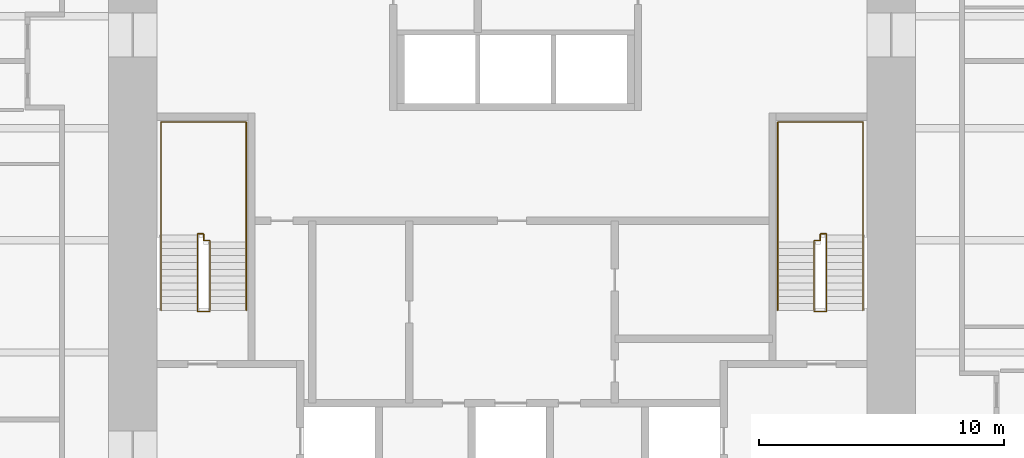
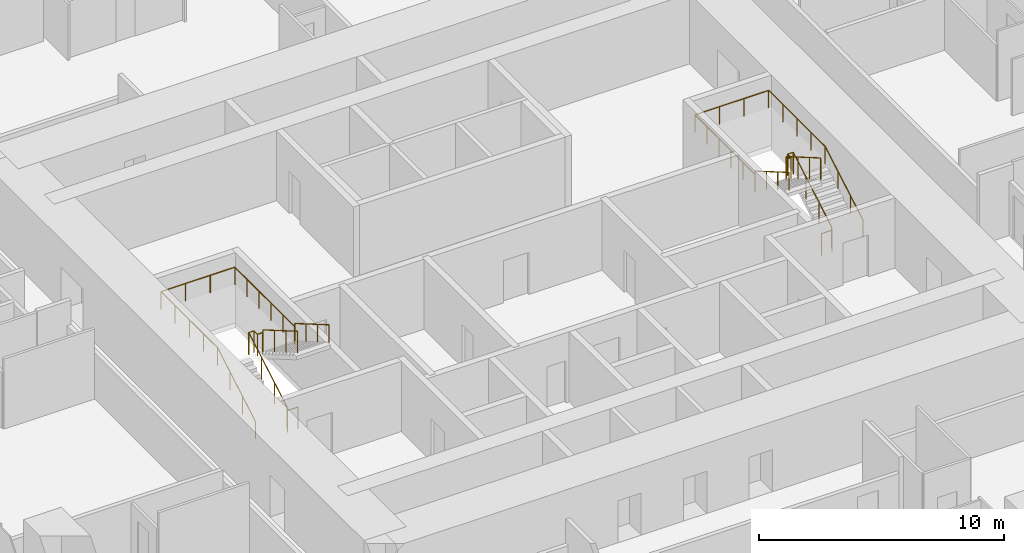
# One storey, part 13 of 13: 4 railings.
"""IFC4 building model written with IfcOpenShell, lengths in metres."""

from ifc_helpers import new_model, si_unit, direction, frame, origin, origin_2d, place, context, subcontext, project, spatial, circle, extrude, material, type_object, element, save


model = new_model("IFC4")

# Units and contexts
model_context = context("Model", 3, precision=1e-05, world=origin(), true_north=direction((0.0, 1.0)))
body_context = subcontext(model_context, "Body", "Model", "MODEL_VIEW")
ifc_project = project(units=[si_unit("LENGTHUNIT", "METRE"), si_unit("AREAUNIT", "SQUARE_METRE"), si_unit("VOLUMEUNIT", "CUBIC_METRE"), si_unit("PLANEANGLEUNIT", "RADIAN"), si_unit("MASSUNIT", "GRAM", prefix="KILO")], contexts=[model_context])

# Site, building, storey
site_placement = place(None, origin())
site = spatial("IfcSite", under=ifc_project, at=site_placement, CompositionType="ELEMENT")
building_placement = place(site_placement, origin())
building = spatial("IfcBuilding", under=site, at=building_placement, Name="Khuree Lantern Residences", CompositionType="ELEMENT")
storey_placement = place(building_placement, frame((0.0, 0.0, 129.75)))
storey = spatial("IfcBuildingStorey", under=building, at=storey_placement, Name="L32", CompositionType="ELEMENT", Elevation=129.75)

# Railings
ifc_material = material(Name="Steel S355", Category="steel")
railing_type_1 = type_object("IfcRailingType", Name="STAIR GUARD G1 1100", PredefinedType="GUARDRAIL", material=ifc_material)
railing_1_placement = place(storey_placement, frame((-12.35009765625, -2.909912109375, 0.0)))
element("IfcRailing", 1, at=railing_1_placement, inside=storey, type_object=railing_type_1, Name="Stair ST1 guard", PredefinedType="GUARDRAIL", context=body_context, shape_type="SweptSolid", body=[
    extrude(circle(Radius=0.02392578125, at=origin_2d()), frame((0.0, 0.0, 1.076171875), z_axis=(-1.0, 0.0, 0.0), x_axis=(0.0, -1.0, 0.0)), (0.0, 0.0, 1.0), 0.5),
    extrude(circle(Radius=0.02392578125, at=origin_2d()), frame((-0.5, 0.0, 1.076171875), z_axis=(0.0, 0.292073035251, 0.95639601739), x_axis=(-1.0, 0.0, 0.0)), (0.0, 0.0, 1.0), 0.17041015625),
    extrude(circle(Radius=0.02392578125, at=origin_2d()), frame((-0.5, 0.0498046875, 1.2392578125), z_axis=(0.0, 0.864176135923, 0.503189433615), x_axis=(-1.0, 0.0, 0.0)), (0.0, 0.0, 1.0), 3.564208984375),
    extrude(circle(Radius=0.02392578125, at=origin_2d()), frame((-0.5, 3.1298828125, 3.03271484375), z_axis=(0.0, 1.0, 0.0), x_axis=(-1.0, 0.0, 0.0)), (0.0, 0.0, 1.0), 0.050048828125),
    extrude(circle(Radius=0.02392578125, at=origin_2d()), frame((-0.5, 3.179931640625, 3.03271484375), z_axis=(1.0, 0.0, 0.0), x_axis=(0.0, 1.0, 0.0)), (0.0, 0.0, 1.0), 0.25),
    extrude(circle(Radius=0.02392578125, at=origin_2d()), frame((-0.25, 3.179931640625, 3.03271484375), z_axis=(0.0, -1.0, 0.0), x_axis=(1.0, 0.0, 0.0)), (0.0, 0.0, 1.0), 0.280029296875),
    extrude(circle(Radius=0.02392578125, at=origin_2d()), frame((-0.25, 2.89990234375, 3.03271484375), z_axis=(1.0, 0.0, 0.0), x_axis=(0.0, 1.0, 0.0)), (0.0, 0.0, 1.0), 0.25),
    extrude(circle(Radius=0.02392578125, at=origin_2d()), frame((0.0, 2.89990234375, 3.03271484375), z_axis=(0.0, -0.293381807449, 0.955995353053), x_axis=(1.0, 0.0, 0.0)), (0.0, 0.0, 1.0), 0.170654296875),
    extrude(circle(Radius=0.02392578125, at=origin_2d()), frame((0.0, 2.849853515625, 3.19580078125), z_axis=(0.0, -0.864180358799, 0.503182181189), x_axis=(1.0, 0.0, 0.0)), (0.0, 0.0, 1.0), 3.240234375),
    extrude(circle(Radius=0.02099609375, at=origin_2d()), origin(), (0.0, 0.0, 1.0), 1.052001953125),
    extrude(circle(Radius=0.02099609375, at=origin_2d()), frame((-0.5, 0.0, 0.0)), (0.0, 0.0, 1.0), 1.052001953125),
    extrude(circle(Radius=0.02099609375, at=origin_2d()), frame((-0.5, 0.0498046875, 0.1630859375)), (0.0, 0.0, 1.0), 1.052001953125),
    extrude(circle(Radius=0.02099609375, at=origin_2d()), frame((-0.5, 1.076416015625, 0.760986328125)), (0.0, 0.0, 1.0), 1.052001953125),
    extrude(circle(Radius=0.02099609375, at=origin_2d()), frame((-0.5, 2.103271484375, 1.358642578125)), (0.0, 0.0, 1.0), 1.052001953125),
    extrude(circle(Radius=0.02099609375, at=origin_2d()), frame((-0.5, 3.1298828125, 1.95654296875)), (0.0, 0.0, 1.0), 1.052001953125),
    extrude(circle(Radius=0.02099609375, at=origin_2d()), frame((-0.5, 3.179931640625, 1.95654296875)), (0.0, 0.0, 1.0), 1.052001953125),
    extrude(circle(Radius=0.02099609375, at=origin_2d()), frame((-0.25, 3.179931640625, 1.95654296875)), (0.0, 0.0, 1.0), 1.052001953125),
    extrude(circle(Radius=0.02099609375, at=origin_2d()), frame((-0.25, 2.89990234375, 1.95654296875)), (0.0, 0.0, 1.0), 1.052001953125),
    extrude(circle(Radius=0.02099609375, at=origin_2d()), frame((0.0, 2.89990234375, 1.95654296875)), (0.0, 0.0, 1.0), 1.052001953125),
    extrude(circle(Radius=0.02099609375, at=origin_2d()), frame((0.0, 2.849853515625, 2.11962890625)), (0.0, 0.0, 1.0), 1.052001953125),
    extrude(circle(Radius=0.02099609375, at=origin_2d()), frame((0.0, 1.91650390625, 2.6630859375)), (0.0, 0.0, 1.0), 1.052001953125),
    extrude(circle(Radius=0.02099609375, at=origin_2d()), frame((0.0, 0.983154296875, 3.20654296875)), (0.0, 0.0, 1.0), 1.052001953125),
    extrude(circle(Radius=0.02099609375, at=origin_2d()), frame((0.0, 0.0498046875, 3.75)), (0.0, 0.0, 1.0), 1.052001953125),
])
railing_2_placement = place(storey_placement, frame((12.35009765625, -2.909912109375, 0.0)))
element("IfcRailing", 2, at=railing_2_placement, inside=storey, type_object=railing_type_1, Name="Stair ST2 guard", PredefinedType="GUARDRAIL", context=body_context, shape_type="SweptSolid", body=[
    extrude(circle(Radius=0.02392578125, at=origin_2d()), frame((0.0, 0.0, 1.076171875), z_axis=(1.0, 0.0, 0.0), x_axis=(0.0, 1.0, 0.0)), (0.0, 0.0, 1.0), 0.5),
    extrude(circle(Radius=0.02392578125, at=origin_2d()), frame((0.5, 0.0, 1.076171875), z_axis=(0.0, 0.292073035251, 0.95639601739), x_axis=(-1.0, 0.0, 0.0)), (0.0, 0.0, 1.0), 0.17041015625),
    extrude(circle(Radius=0.02392578125, at=origin_2d()), frame((0.5, 0.0498046875, 1.2392578125), z_axis=(0.0, 0.864176135923, 0.503189433615), x_axis=(-1.0, 0.0, 0.0)), (0.0, 0.0, 1.0), 3.564208984375),
    extrude(circle(Radius=0.02392578125, at=origin_2d()), frame((0.5, 3.1298828125, 3.03271484375), z_axis=(0.0, 1.0, 0.0), x_axis=(-1.0, 0.0, 0.0)), (0.0, 0.0, 1.0), 0.050048828125),
    extrude(circle(Radius=0.02392578125, at=origin_2d()), frame((0.5, 3.179931640625, 3.03271484375), z_axis=(-1.0, 0.0, 0.0), x_axis=(0.0, -1.0, 0.0)), (0.0, 0.0, 1.0), 0.25),
    extrude(circle(Radius=0.02392578125, at=origin_2d()), frame((0.25, 3.179931640625, 3.03271484375), z_axis=(0.0, -1.0, 0.0), x_axis=(1.0, 0.0, 0.0)), (0.0, 0.0, 1.0), 0.280029296875),
    extrude(circle(Radius=0.02392578125, at=origin_2d()), frame((0.25, 2.89990234375, 3.03271484375), z_axis=(-1.0, 0.0, 0.0), x_axis=(0.0, -1.0, 0.0)), (0.0, 0.0, 1.0), 0.25),
    extrude(circle(Radius=0.02392578125, at=origin_2d()), frame((0.0, 2.89990234375, 3.03271484375), z_axis=(0.0, -0.293381807449, 0.955995353053), x_axis=(1.0, 0.0, 0.0)), (0.0, 0.0, 1.0), 0.170654296875),
    extrude(circle(Radius=0.02392578125, at=origin_2d()), frame((0.0, 2.849853515625, 3.19580078125), z_axis=(0.0, -0.864180358799, 0.503182181189), x_axis=(1.0, 0.0, 0.0)), (0.0, 0.0, 1.0), 3.240234375),
    extrude(circle(Radius=0.02099609375, at=origin_2d()), origin(), (0.0, 0.0, 1.0), 1.052001953125),
    extrude(circle(Radius=0.02099609375, at=origin_2d()), frame((0.5, 0.0, 0.0)), (0.0, 0.0, 1.0), 1.052001953125),
    extrude(circle(Radius=0.02099609375, at=origin_2d()), frame((0.5, 0.0498046875, 0.1630859375)), (0.0, 0.0, 1.0), 1.052001953125),
    extrude(circle(Radius=0.02099609375, at=origin_2d()), frame((0.5, 1.076416015625, 0.760986328125)), (0.0, 0.0, 1.0), 1.052001953125),
    extrude(circle(Radius=0.02099609375, at=origin_2d()), frame((0.5, 2.103271484375, 1.358642578125)), (0.0, 0.0, 1.0), 1.052001953125),
    extrude(circle(Radius=0.02099609375, at=origin_2d()), frame((0.5, 3.1298828125, 1.95654296875)), (0.0, 0.0, 1.0), 1.052001953125),
    extrude(circle(Radius=0.02099609375, at=origin_2d()), frame((0.5, 3.179931640625, 1.95654296875)), (0.0, 0.0, 1.0), 1.052001953125),
    extrude(circle(Radius=0.02099609375, at=origin_2d()), frame((0.25, 3.179931640625, 1.95654296875)), (0.0, 0.0, 1.0), 1.052001953125),
    extrude(circle(Radius=0.02099609375, at=origin_2d()), frame((0.25, 2.89990234375, 1.95654296875)), (0.0, 0.0, 1.0), 1.052001953125),
    extrude(circle(Radius=0.02099609375, at=origin_2d()), frame((0.0, 2.89990234375, 1.95654296875)), (0.0, 0.0, 1.0), 1.052001953125),
    extrude(circle(Radius=0.02099609375, at=origin_2d()), frame((0.0, 2.849853515625, 2.11962890625)), (0.0, 0.0, 1.0), 1.052001953125),
    extrude(circle(Radius=0.02099609375, at=origin_2d()), frame((0.0, 1.91650390625, 2.6630859375)), (0.0, 0.0, 1.0), 1.052001953125),
    extrude(circle(Radius=0.02099609375, at=origin_2d()), frame((0.0, 0.983154296875, 3.20654296875)), (0.0, 0.0, 1.0), 1.052001953125),
    extrude(circle(Radius=0.02099609375, at=origin_2d()), frame((0.0, 0.0498046875, 3.75)), (0.0, 0.0, 1.0), 1.052001953125),
])
railing_type_2 = type_object("IfcRailingType", Name="STAIR HANDRAIL H1 900", PredefinedType="HANDRAIL", material=ifc_material)
railing_3_placement = place(storey_placement, frame((-14.340087890625, -2.860107421875, 0.1630859375)))
element("IfcRailing", 3, at=railing_3_placement, inside=storey, type_object=railing_type_2, Name="Stair ST1 handrail", PredefinedType="HANDRAIL", context=body_context, shape_type="SweptSolid", body=[
    extrude(circle(Radius=0.02392578125, at=origin_2d()), frame((0.0, 0.0, 0.8759765625), z_axis=(0.0, 0.864176135923, 0.503189433615), x_axis=(-1.0, 0.0, 0.0)), (0.0, 0.0, 1.0), 3.564208984375),
    extrude(circle(Radius=0.02392578125, at=origin_2d()), frame((0.0, 3.080078125, 2.66943359375), z_axis=(0.0, 1.0, 0.0), x_axis=(-1.0, 0.0, 0.0)), (0.0, 0.0, 1.0), 4.6201171875),
    extrude(circle(Radius=0.02392578125, at=origin_2d()), frame((0.0, 7.7001953125, 2.66943359375), z_axis=(1.0, 0.0, 0.0), x_axis=(0.0, 1.0, 0.0)), (0.0, 0.0, 1.0), 3.47998046875),
    extrude(circle(Radius=0.02392578125, at=origin_2d()), frame((3.47998046875, 7.7001953125, 2.66943359375), z_axis=(0.0, -1.0, 0.0), x_axis=(1.0, 0.0, 0.0)), (0.0, 0.0, 1.0), 4.900146484375),
    extrude(circle(Radius=0.02392578125, at=origin_2d()), frame((3.47998046875, 2.800048828125, 2.66943359375), z_axis=(0.0, 0.0, 1.0), x_axis=(1.0, 0.0, 0.0)), (0.0, 0.0, 1.0), 0.1630859375),
    extrude(circle(Radius=0.02392578125, at=origin_2d()), frame((3.47998046875, 2.800048828125, 2.83251953125), z_axis=(0.0, -0.864180358799, 0.503182181189), x_axis=(1.0, 0.0, 0.0)), (0.0, 0.0, 1.0), 3.240234375),
    extrude(circle(Radius=0.02099609375, at=origin_2d()), origin(), (0.0, 0.0, 1.0), 0.851806640625),
    extrude(circle(Radius=0.02099609375, at=origin_2d()), frame((0.0, 1.026611328125, 0.597900390625)), (0.0, 0.0, 1.0), 0.851806640625),
    extrude(circle(Radius=0.02099609375, at=origin_2d()), frame((0.0, 2.053466796875, 1.195556640625)), (0.0, 0.0, 1.0), 0.851806640625),
    extrude(circle(Radius=0.02099609375, at=origin_2d()), frame((0.0, 3.080078125, 1.79345703125)), (0.0, 0.0, 1.0), 0.851806640625),
    extrude(circle(Radius=0.02099609375, at=origin_2d()), frame((0.0, 4.235107421875, 1.79345703125)), (0.0, 0.0, 1.0), 0.851806640625),
    extrude(circle(Radius=0.02099609375, at=origin_2d()), frame((0.0, 5.39013671875, 1.79345703125)), (0.0, 0.0, 1.0), 0.851806640625),
    extrude(circle(Radius=0.02099609375, at=origin_2d()), frame((0.0, 6.545166015625, 1.79345703125)), (0.0, 0.0, 1.0), 0.851806640625),
    extrude(circle(Radius=0.02099609375, at=origin_2d()), frame((0.0, 7.7001953125, 1.79345703125)), (0.0, 0.0, 1.0), 0.851806640625),
    extrude(circle(Radius=0.02099609375, at=origin_2d()), frame((1.159912109375, 7.7001953125, 1.79345703125)), (0.0, 0.0, 1.0), 0.851806640625),
    extrude(circle(Radius=0.02099609375, at=origin_2d()), frame((2.320068359375, 7.7001953125, 1.79345703125)), (0.0, 0.0, 1.0), 0.851806640625),
    extrude(circle(Radius=0.02099609375, at=origin_2d()), frame((3.47998046875, 7.7001953125, 1.79345703125)), (0.0, 0.0, 1.0), 0.851806640625),
    extrude(circle(Radius=0.02099609375, at=origin_2d()), frame((3.47998046875, 6.72021484375, 1.79345703125)), (0.0, 0.0, 1.0), 0.851806640625),
    extrude(circle(Radius=0.02099609375, at=origin_2d()), frame((3.47998046875, 5.740234375, 1.79345703125)), (0.0, 0.0, 1.0), 0.851806640625),
    extrude(circle(Radius=0.02099609375, at=origin_2d()), frame((3.47998046875, 4.760009765625, 1.79345703125)), (0.0, 0.0, 1.0), 0.851806640625),
    extrude(circle(Radius=0.02099609375, at=origin_2d()), frame((3.47998046875, 3.780029296875, 1.79345703125)), (0.0, 0.0, 1.0), 0.851806640625),
    extrude(circle(Radius=0.02099609375, at=origin_2d()), frame((3.47998046875, 2.800048828125, 1.79345703125)), (0.0, 0.0, 1.0), 0.851806640625),
    extrude(circle(Radius=0.02099609375, at=origin_2d()), frame((3.47998046875, 2.800048828125, 1.95654296875)), (0.0, 0.0, 1.0), 0.851806640625),
    extrude(circle(Radius=0.02099609375, at=origin_2d()), frame((3.47998046875, 1.86669921875, 2.5)), (0.0, 0.0, 1.0), 0.851806640625),
    extrude(circle(Radius=0.02099609375, at=origin_2d()), frame((3.47998046875, 0.933349609375, 3.04345703125)), (0.0, 0.0, 1.0), 0.851806640625),
    extrude(circle(Radius=0.02099609375, at=origin_2d()), frame((3.47998046875, 0.0, 3.5869140625)), (0.0, 0.0, 1.0), 0.851806640625),
])
railing_4_placement = place(storey_placement, frame((14.340087890625, -2.860107421875, 0.1630859375)))
element("IfcRailing", 4, at=railing_4_placement, inside=storey, type_object=railing_type_2, Name="Stair ST2 handrail", PredefinedType="HANDRAIL", context=body_context, shape_type="SweptSolid", body=[
    extrude(circle(Radius=0.02392578125, at=origin_2d()), frame((0.0, 0.0, 0.8759765625), z_axis=(0.0, 0.864176135923, 0.503189433615), x_axis=(-1.0, 0.0, 0.0)), (0.0, 0.0, 1.0), 3.564208984375),
    extrude(circle(Radius=0.02392578125, at=origin_2d()), frame((0.0, 3.080078125, 2.66943359375), z_axis=(0.0, 1.0, 0.0), x_axis=(-1.0, 0.0, 0.0)), (0.0, 0.0, 1.0), 4.6201171875),
    extrude(circle(Radius=0.02392578125, at=origin_2d()), frame((0.0, 7.7001953125, 2.66943359375), z_axis=(-1.0, 0.0, 0.0), x_axis=(0.0, -1.0, 0.0)), (0.0, 0.0, 1.0), 3.47998046875),
    extrude(circle(Radius=0.02392578125, at=origin_2d()), frame((-3.47998046875, 7.7001953125, 2.66943359375), z_axis=(0.0, -1.0, 0.0), x_axis=(1.0, 0.0, 0.0)), (0.0, 0.0, 1.0), 4.900146484375),
    extrude(circle(Radius=0.02392578125, at=origin_2d()), frame((-3.47998046875, 2.800048828125, 2.66943359375), z_axis=(0.0, 0.0, 1.0), x_axis=(1.0, 0.0, 0.0)), (0.0, 0.0, 1.0), 0.1630859375),
    extrude(circle(Radius=0.02392578125, at=origin_2d()), frame((-3.47998046875, 2.800048828125, 2.83251953125), z_axis=(0.0, -0.864180358799, 0.503182181189), x_axis=(1.0, 0.0, 0.0)), (0.0, 0.0, 1.0), 3.240234375),
    extrude(circle(Radius=0.02099609375, at=origin_2d()), origin(), (0.0, 0.0, 1.0), 0.851806640625),
    extrude(circle(Radius=0.02099609375, at=origin_2d()), frame((0.0, 1.026611328125, 0.597900390625)), (0.0, 0.0, 1.0), 0.851806640625),
    extrude(circle(Radius=0.02099609375, at=origin_2d()), frame((0.0, 2.053466796875, 1.195556640625)), (0.0, 0.0, 1.0), 0.851806640625),
    extrude(circle(Radius=0.02099609375, at=origin_2d()), frame((0.0, 3.080078125, 1.79345703125)), (0.0, 0.0, 1.0), 0.851806640625),
    extrude(circle(Radius=0.02099609375, at=origin_2d()), frame((0.0, 4.235107421875, 1.79345703125)), (0.0, 0.0, 1.0), 0.851806640625),
    extrude(circle(Radius=0.02099609375, at=origin_2d()), frame((0.0, 5.39013671875, 1.79345703125)), (0.0, 0.0, 1.0), 0.851806640625),
    extrude(circle(Radius=0.02099609375, at=origin_2d()), frame((0.0, 6.545166015625, 1.79345703125)), (0.0, 0.0, 1.0), 0.851806640625),
    extrude(circle(Radius=0.02099609375, at=origin_2d()), frame((0.0, 7.7001953125, 1.79345703125)), (0.0, 0.0, 1.0), 0.851806640625),
    extrude(circle(Radius=0.02099609375, at=origin_2d()), frame((-1.159912109375, 7.7001953125, 1.79345703125)), (0.0, 0.0, 1.0), 0.851806640625),
    extrude(circle(Radius=0.02099609375, at=origin_2d()), frame((-2.320068359375, 7.7001953125, 1.79345703125)), (0.0, 0.0, 1.0), 0.851806640625),
    extrude(circle(Radius=0.02099609375, at=origin_2d()), frame((-3.47998046875, 7.7001953125, 1.79345703125)), (0.0, 0.0, 1.0), 0.851806640625),
    extrude(circle(Radius=0.02099609375, at=origin_2d()), frame((-3.47998046875, 6.72021484375, 1.79345703125)), (0.0, 0.0, 1.0), 0.851806640625),
    extrude(circle(Radius=0.02099609375, at=origin_2d()), frame((-3.47998046875, 5.740234375, 1.79345703125)), (0.0, 0.0, 1.0), 0.851806640625),
    extrude(circle(Radius=0.02099609375, at=origin_2d()), frame((-3.47998046875, 4.760009765625, 1.79345703125)), (0.0, 0.0, 1.0), 0.851806640625),
    extrude(circle(Radius=0.02099609375, at=origin_2d()), frame((-3.47998046875, 3.780029296875, 1.79345703125)), (0.0, 0.0, 1.0), 0.851806640625),
    extrude(circle(Radius=0.02099609375, at=origin_2d()), frame((-3.47998046875, 2.800048828125, 1.79345703125)), (0.0, 0.0, 1.0), 0.851806640625),
    extrude(circle(Radius=0.02099609375, at=origin_2d()), frame((-3.47998046875, 2.800048828125, 1.95654296875)), (0.0, 0.0, 1.0), 0.851806640625),
    extrude(circle(Radius=0.02099609375, at=origin_2d()), frame((-3.47998046875, 1.86669921875, 2.5)), (0.0, 0.0, 1.0), 0.851806640625),
    extrude(circle(Radius=0.02099609375, at=origin_2d()), frame((-3.47998046875, 0.933349609375, 3.04345703125)), (0.0, 0.0, 1.0), 0.851806640625),
    extrude(circle(Radius=0.02099609375, at=origin_2d()), frame((-3.47998046875, 0.0, 3.5869140625)), (0.0, 0.0, 1.0), 0.851806640625),
])

save(model, "model.ifc")
